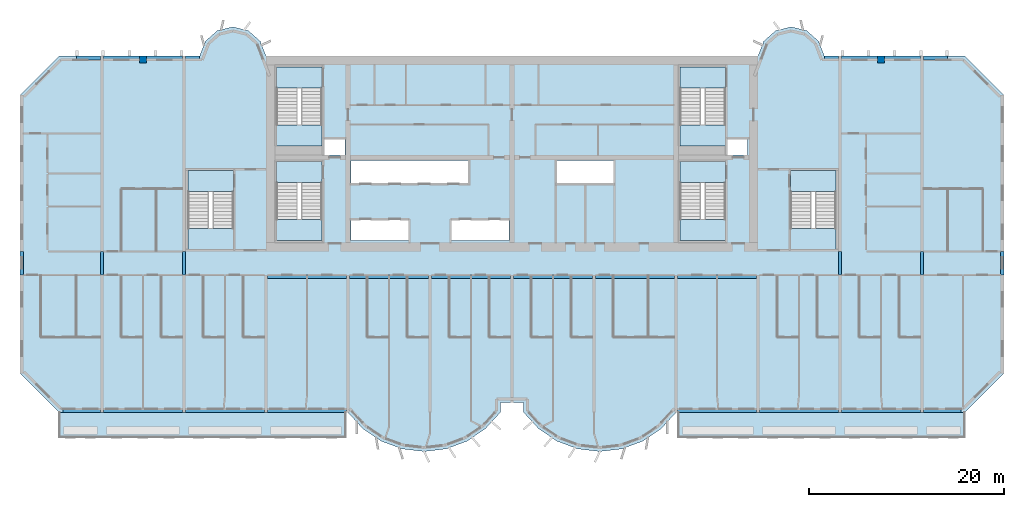
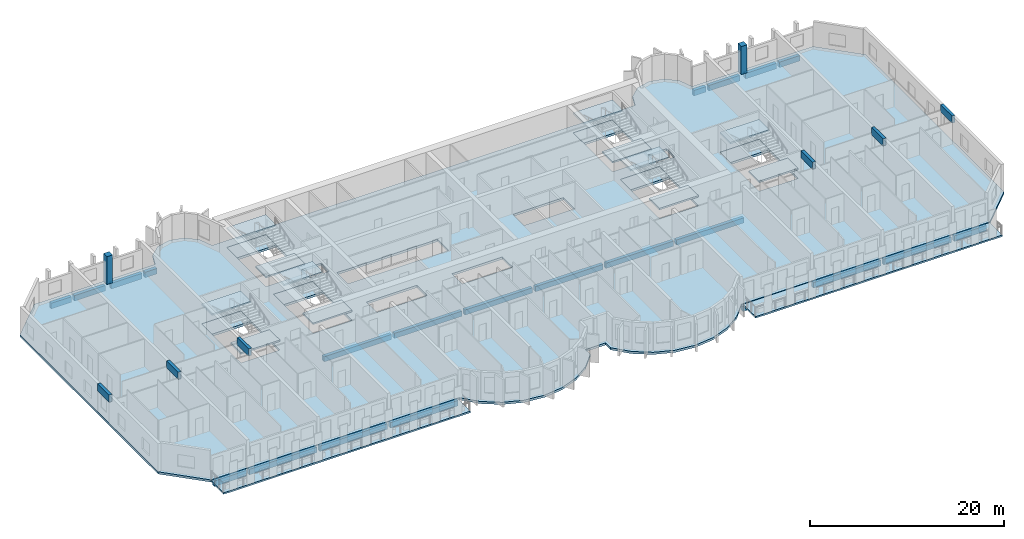
# One storey, part 1 of 14: 28 beams, 21 slabs, 2 columns, 6 elements without a shape of their own.
"""IFC4 building model written with IfcOpenShell, lengths in metres."""

from ifc_helpers import new_model, si_unit, direction, frame, origin, origin_2d, place, context, subcontext, project, spatial, polyline, rectangle, outline, extrude, source, transform, mapped, material, layer, layer_set, material_profile, profile_set, type_object, element, aggregate, save


model = new_model("IFC4")

# Units and contexts
model_context = context("Model", 3, precision=1e-05, world=origin(), true_north=direction((0.0, 1.0)))
body_context = subcontext(model_context, "Body", "Model", "MODEL_VIEW")
ifc_project = project(units=[si_unit("LENGTHUNIT", "METRE"), si_unit("AREAUNIT", "SQUARE_METRE"), si_unit("VOLUMEUNIT", "CUBIC_METRE"), si_unit("PLANEANGLEUNIT", "RADIAN"), si_unit("MASSUNIT", "GRAM", prefix="KILO")], contexts=[model_context])

# Site, building, storey
site_placement = place(None, origin())
site = spatial("IfcSite", under=ifc_project, at=site_placement, CompositionType="ELEMENT")
building_placement = place(site_placement, origin())
building = spatial("IfcBuilding", under=site, at=building_placement, Name="Vanashikhar Sky Hotel", CompositionType="ELEMENT")
storey_placement = place(building_placement, frame((0.0, 0.0, 125.60009765625)))
storey = spatial("IfcBuildingStorey", under=building, at=storey_placement, Name="L30", CompositionType="ELEMENT", Elevation=125.60009765625)

# Columns
ifc_material_1 = material(Name="Concrete M60", Category="concrete")
ifc_material_profile_1 = material_profile(ifc_material_1, rectangle(XDim=0.699951171875, YDim=0.699951171875, at=origin_2d()))
ifc_profile_set_1 = profile_set([ifc_material_profile_1], Name="RC 700x700 column Concrete M60")
column_type = type_object("IfcColumnType", Name="RC 700x700 column Concrete M60", PredefinedType="COLUMN", material=ifc_profile_set_1)
shared_shape_1 = source(origin(), body_context, "Body", "SweptSolid", [
    extrude(rectangle(XDim=0.699951171875, YDim=0.699951171875, at=origin_2d()), origin(), (0.0, 0.0, 1.0), 3.52001953125),
])
for number, where, z_axis, x_axis, name in (
    (1, (12.60009765625, 41.64990234375, 0.0), (0.0, 0.0, 1.0), (1.0, 0.0, 0.0), "CL-L30-CR02"),
    (2, (88.199951171875, 41.64990234375, 0.0), (0.0, 0.0, 1.0), (1.0, 0.0, 0.0), "CL-L30-CR11"),
):
    element("IfcColumn", number, at=place(storey_placement, frame(where, z_axis=z_axis, x_axis=x_axis)), inside=storey, type_object=column_type, Name=name, PredefinedType="COLUMN", context=body_context, shape_type="MappedRepresentation", body=[
        mapped(shared_shape_1, transform((0.0, 0.0, 0.0), scale=1.0)),
    ])

# Beams
ifc_material_2 = material(Name="Concrete M50", Category="concrete")
ifc_material_profile_2 = material_profile(ifc_material_2, rectangle(XDim=0.35009765625, YDim=0.89990234375, at=origin_2d()))
ifc_profile_set_2 = profile_set([ifc_material_profile_2], Name="RC 350x900 beam Concrete M50")
beam_type_1 = type_object("IfcBeamType", Name="RC 350x900 beam Concrete M50", PredefinedType="LINTEL", material=ifc_profile_set_2)
shared_shape_2 = source(origin(), body_context, "Body", "SweptSolid", [
    extrude(rectangle(XDim=0.35009765625, YDim=0.89990234375, at=origin_2d()), origin(), (0.0, 0.0, 1.0), 2.39990234375),
])
for number, where, z_axis, x_axis, name in (
    (3, (0.175048828125, 19.60009765625, 3.06982421875), (0.0, 1.0, 0.0), (-1.0, 0.0, 0.0), "LB-L30-XW01"),
    (4, (8.39990234375, 19.60009765625, 3.06982421875), (0.0, 1.0, 0.0), (-1.0, 0.0, 0.0), "LB-L30-XW02"),
    (5, (16.800048828125, 19.60009765625, 3.06982421875), (0.0, 1.0, 0.0), (-1.0, 0.0, 0.0), "LB-L30-XW03"),
    (6, (84.0, 19.60009765625, 3.06982421875), (0.0, 1.0, 0.0), (-1.0, 0.0, 0.0), "LB-L30-XW11"),
    (7, (92.39990234375, 19.60009765625, 3.06982421875), (0.0, 1.0, 0.0), (-1.0, 0.0, 0.0), "LB-L30-XW12"),
    (8, (100.625, 19.60009765625, 3.06982421875), (0.0, 1.0, 0.0), (-1.0, 0.0, 0.0), "LB-L30-XW13"),
):
    element("IfcBeam", number, at=place(storey_placement, frame(where, z_axis=z_axis, x_axis=x_axis)), inside=storey, type_object=beam_type_1, Name=name, PredefinedType="LINTEL", context=body_context, shape_type="MappedRepresentation", body=[
        mapped(shared_shape_2, transform((0.0, 0.0, 0.0), scale=1.0)),
    ])
ifc_material_profile_3 = material_profile(ifc_material_2, rectangle(XDim=0.39990234375, YDim=0.699951171875, at=origin_2d()))
ifc_profile_set_3 = profile_set([ifc_material_profile_3], Name="RC 400x700 beam Concrete M50")
beam_type_2 = type_object("IfcBeamType", Name="RC 400x700 beam Concrete M50", PredefinedType="SPANDREL", material=ifc_profile_set_3)
shared_shape_3 = source(origin(), body_context, "Body", "SweptSolid", [
    extrude(rectangle(XDim=0.39990234375, YDim=0.699951171875, at=origin_2d()), origin(), (0.0, 0.0, 1.0), 8.050048828125),
])
for number, where, z_axis, x_axis, name in (
    (9, (8.574951171875, 5.699951171875, -0.630126953125), (1.0, 0.0, 0.0), (0.0, 1.0, 0.0), "EB-L30-F01"),
    (10, (25.375, 5.699951171875, -0.630126953125), (1.0, 0.0, 0.0), (0.0, 1.0, 0.0), "EB-L30-F03"),
    (11, (67.375, 5.699951171875, -0.630126953125), (1.0, 0.0, 0.0), (0.0, 1.0, 0.0), "EB-L30-F05"),
    (12, (75.77490234375, 5.699951171875, -0.630126953125), (1.0, 0.0, 0.0), (0.0, 1.0, 0.0), "EB-L30-F06"),
    (13, (84.175048828125, 5.699951171875, -0.630126953125), (1.0, 0.0, 0.0), (0.0, 1.0, 0.0), "EB-L30-F07"),
):
    element("IfcBeam", number, at=place(storey_placement, frame(where, z_axis=z_axis, x_axis=x_axis)), inside=storey, type_object=beam_type_2, Name=name, PredefinedType="SPANDREL", context=body_context, shape_type="MappedRepresentation", body=[
        mapped(shared_shape_3, transform((0.0, 0.0, 0.0), scale=1.0)),
    ])
shared_shape_4 = source(origin(), body_context, "Body", "SweptSolid", [
    extrude(rectangle(XDim=0.39990234375, YDim=0.699951171875, at=origin_2d()), origin(), (0.0, 0.0, 1.0), 8.0498046875),
])
beam_1_placement = place(storey_placement, frame((16.97509765625, 5.699951171875, -0.630126953125), z_axis=(1.0, 0.0, 0.0), x_axis=(0.0, 1.0, 0.0)))
element("IfcBeam", 14, at=beam_1_placement, inside=storey, type_object=beam_type_2, Name="EB-L30-F02", PredefinedType="SPANDREL", context=body_context, shape_type="MappedRepresentation", body=[
    mapped(shared_shape_4, transform((0.0, 0.0, 0.0), scale=1.0)),
])
ifc_material_profile_4 = material_profile(ifc_material_2, rectangle(XDim=0.39990234375, YDim=0.699951171875, at=origin_2d()))
ifc_profile_set_4 = profile_set([ifc_material_profile_4], Name="RC 400x700 cantilever beam Concrete M50")
beam_type_3 = type_object("IfcBeamType", Name="RC 400x700 cantilever beam Concrete M50", PredefinedType="SPANDREL", material=ifc_profile_set_4)
shared_shape_5 = source(origin(), body_context, "Body", "SweptSolid", [
    extrude(rectangle(XDim=0.39990234375, YDim=0.699951171875, at=origin_2d()), origin(), (0.0, 0.0, 1.0), 3.8251953125),
])
beam_2_placement = place(storey_placement, frame((4.39990234375, 5.699951171875, -0.630126953125), z_axis=(1.0, 0.0, 0.0), x_axis=(0.0, 1.0, 0.0)))
element("IfcBeam", 15, at=beam_2_placement, inside=storey, type_object=beam_type_3, Name="EB-L30-F04", PredefinedType="SPANDREL", context=body_context, shape_type="MappedRepresentation", body=[
    mapped(shared_shape_5, transform((0.0, 0.0, 0.0), scale=1.0)),
])
shared_shape_6 = source(origin(), body_context, "Body", "SweptSolid", [
    extrude(rectangle(XDim=0.39990234375, YDim=0.699951171875, at=origin_2d()), origin(), (0.0, 0.0, 1.0), 3.824951171875),
])
beam_3_placement = place(storey_placement, frame((92.574951171875, 5.699951171875, -0.630126953125), z_axis=(1.0, 0.0, 0.0), x_axis=(0.0, 1.0, 0.0)))
element("IfcBeam", 16, at=beam_3_placement, inside=storey, type_object=beam_type_3, Name="EB-L30-F08", PredefinedType="SPANDREL", context=body_context, shape_type="MappedRepresentation", body=[
    mapped(shared_shape_6, transform((0.0, 0.0, 0.0), scale=1.0)),
])
shared_shape_7 = source(origin(), body_context, "Body", "SweptSolid", [
    extrude(rectangle(XDim=0.39990234375, YDim=0.699951171875, at=origin_2d()), origin(), (0.0, 0.0, 1.0), 3.675048828125),
])
for number, where, z_axis, x_axis, name in (
    (17, (8.574951171875, 41.800048828125, -0.630126953125), (1.0, 0.0, 0.0), (0.0, 1.0, 0.0), "EB-L30-R01"),
    (18, (12.949951171875, 41.800048828125, -0.630126953125), (1.0, 0.0, 0.0), (0.0, 1.0, 0.0), "EB-L30-R02"),
    (19, (84.175048828125, 41.800048828125, -0.630126953125), (1.0, 0.0, 0.0), (0.0, 1.0, 0.0), "EB-L30-R05"),
    (20, (88.550048828125, 41.800048828125, -0.630126953125), (1.0, 0.0, 0.0), (0.0, 1.0, 0.0), "EB-L30-R06"),
):
    element("IfcBeam", number, at=place(storey_placement, frame(where, z_axis=z_axis, x_axis=x_axis)), inside=storey, type_object=beam_type_2, Name=name, PredefinedType="SPANDREL", context=body_context, shape_type="MappedRepresentation", body=[
        mapped(shared_shape_7, transform((0.0, 0.0, 0.0), scale=1.0)),
    ])
shared_shape_8 = source(origin(), body_context, "Body", "SweptSolid", [
    extrude(rectangle(XDim=0.39990234375, YDim=0.699951171875, at=origin_2d()), origin(), (0.0, 0.0, 1.0), 2.43017578125),
])
beam_4_placement = place(storey_placement, frame((5.794921875, 41.800048828125, -0.630126953125), z_axis=(1.0, 0.0, 0.0), x_axis=(0.0, 1.0, 0.0)))
element("IfcBeam", 21, at=beam_4_placement, inside=storey, type_object=beam_type_3, Name="EB-L30-R03", PredefinedType="SPANDREL", context=body_context, shape_type="MappedRepresentation", body=[
    mapped(shared_shape_8, transform((0.0, 0.0, 0.0), scale=1.0)),
])
shared_shape_9 = source(origin(), body_context, "Body", "SweptSolid", [
    extrude(rectangle(XDim=0.39990234375, YDim=0.699951171875, at=origin_2d()), origin(), (0.0, 0.0, 1.0), 1.4248046875),
])
beam_5_placement = place(storey_placement, frame((16.97509765625, 41.800048828125, -0.630126953125), z_axis=(1.0, 0.0, 0.0), x_axis=(0.0, 1.0, 0.0)))
element("IfcBeam", 22, at=beam_5_placement, inside=storey, type_object=beam_type_3, Name="EB-L30-R04", PredefinedType="SPANDREL", context=body_context, shape_type="MappedRepresentation", body=[
    mapped(shared_shape_9, transform((0.0, 0.0, 0.0), scale=1.0)),
])
shared_shape_10 = source(origin(), body_context, "Body", "SweptSolid", [
    extrude(rectangle(XDim=0.39990234375, YDim=0.699951171875, at=origin_2d()), origin(), (0.0, 0.0, 1.0), 1.425048828125),
])
beam_6_placement = place(storey_placement, frame((82.39990234375, 41.800048828125, -0.630126953125), z_axis=(1.0, 0.0, 0.0), x_axis=(0.0, 1.0, 0.0)))
element("IfcBeam", 23, at=beam_6_placement, inside=storey, type_object=beam_type_3, Name="EB-L30-R07", PredefinedType="SPANDREL", context=body_context, shape_type="MappedRepresentation", body=[
    mapped(shared_shape_10, transform((0.0, 0.0, 0.0), scale=1.0)),
])
shared_shape_11 = source(origin(), body_context, "Body", "SweptSolid", [
    extrude(rectangle(XDim=0.39990234375, YDim=0.699951171875, at=origin_2d()), origin(), (0.0, 0.0, 1.0), 2.429931640625),
])
beam_7_placement = place(storey_placement, frame((92.574951171875, 41.800048828125, -0.630126953125), z_axis=(1.0, 0.0, 0.0), x_axis=(0.0, 1.0, 0.0)))
element("IfcBeam", 24, at=beam_7_placement, inside=storey, type_object=beam_type_3, Name="EB-L30-R08", PredefinedType="SPANDREL", context=body_context, shape_type="MappedRepresentation", body=[
    mapped(shared_shape_11, transform((0.0, 0.0, 0.0), scale=1.0)),
])
ifc_material_profile_5 = material_profile(ifc_material_2, rectangle(XDim=0.39990234375, YDim=0.64990234375, at=origin_2d()))
ifc_profile_set_5 = profile_set([ifc_material_profile_5], Name="RC 400x650 beam Concrete M50")
beam_type_4 = type_object("IfcBeamType", Name="RC 400x650 beam Concrete M50", PredefinedType="BEAM", material=ifc_profile_set_5)
shared_shape_12 = source(origin(), body_context, "Body", "SweptSolid", [
    extrude(rectangle(XDim=0.39990234375, YDim=0.64990234375, at=origin_2d()), origin(), (0.0, 0.0, 1.0), 8.050048828125),
])
for number, where, z_axis, x_axis, name in (
    (25, (25.375, 19.39990234375, -0.60498046875), (1.0, 0.0, 0.0), (0.0, 1.0, 0.0), "CB-L30-01"),
    (26, (33.77490234375, 19.39990234375, -0.60498046875), (1.0, 0.0, 0.0), (0.0, 1.0, 0.0), "CB-L30-02"),
    (27, (42.175048828125, 19.39990234375, -0.60498046875), (1.0, 0.0, 0.0), (0.0, 1.0, 0.0), "CB-L30-03"),
    (28, (50.574951171875, 19.39990234375, -0.60498046875), (1.0, 0.0, 0.0), (0.0, 1.0, 0.0), "CB-L30-04"),
    (29, (67.375, 19.39990234375, -0.60498046875), (1.0, 0.0, 0.0), (0.0, 1.0, 0.0), "CB-L30-06"),
):
    element("IfcBeam", number, at=place(storey_placement, frame(where, z_axis=z_axis, x_axis=x_axis)), inside=storey, type_object=beam_type_4, Name=name, PredefinedType="BEAM", context=body_context, shape_type="MappedRepresentation", body=[
        mapped(shared_shape_12, transform((0.0, 0.0, 0.0), scale=1.0)),
    ])
shared_shape_13 = source(origin(), body_context, "Body", "SweptSolid", [
    extrude(rectangle(XDim=0.39990234375, YDim=0.64990234375, at=origin_2d()), origin(), (0.0, 0.0, 1.0), 8.0498046875),
])
beam_8_placement = place(storey_placement, frame((58.97509765625, 19.39990234375, -0.60498046875), z_axis=(1.0, 0.0, 0.0), x_axis=(0.0, 1.0, 0.0)))
element("IfcBeam", 30, at=beam_8_placement, inside=storey, type_object=beam_type_4, Name="CB-L30-05", PredefinedType="BEAM", context=body_context, shape_type="MappedRepresentation", body=[
    mapped(shared_shape_13, transform((0.0, 0.0, 0.0), scale=1.0)),
])

# Slabs
ifc_material_3 = material(Name="Concrete M40", Category="concrete")
ifc_layer_1 = layer(ifc_material_3, 0.280029296875)
ifc_layer_set_1 = layer_set([ifc_layer_1], Name="Floor slab 280 mm")
slab_type_1 = type_object("IfcSlabType", Name="Floor slab 280 mm", PredefinedType="FLOOR", material=ifc_layer_set_1)
shared_shape_14 = source(origin(), body_context, "Body", "SweptSolid", [
    extrude(outline(polyline([(49.199951171875, 5.5), (49.199951171875, 6.5), (51.60009765625, 6.5), (51.60009765625, 5.5), (53.133056640625, 3.825927734375), (55.01708984375, 2.55810546875), (57.14599609375, 1.76806640625), (59.39990234375, 1.5), (61.654052734375, 1.76806640625), (63.782958984375, 2.55810546875), (65.6669921875, 3.825927734375), (67.199951171875, 5.5), (96.800048828125, 5.5), (100.800048828125, 9.5), (100.800048828125, 38.0), (96.800048828125, 42.0), (82.39990234375, 42.0), (81.81494140625, 43.527099609375), (80.587890625, 44.610107421875), (79.0, 45.0), (77.412109375, 44.610107421875), (76.18505859375, 43.527099609375), (75.60009765625, 42.0), (25.199951171875, 42.0), (24.614990234375, 43.527099609375), (23.387939453125, 44.610107421875), (21.800048828125, 45.0), (20.2119140625, 44.610107421875), (18.985107421875, 43.527099609375), (18.39990234375, 42.0), (4.0, 42.0), (0.0, 38.0), (0.0, 9.5), (4.0, 5.5), (33.60009765625, 5.5), (35.133056640625, 3.825927734375), (37.01708984375, 2.55810546875), (39.14599609375, 1.76806640625), (41.39990234375, 1.5), (43.654052734375, 1.76806640625), (45.782958984375, 2.55810546875), (47.6669921875, 3.825927734375), (49.199951171875, 5.5)]), holes=[polyline([(33.300048828125, 33.60009765625), (31.050048828125, 33.60009765625), (31.050048828125, 31.89990234375), (33.300048828125, 31.89990234375), (33.300048828125, 33.60009765625)]), polyline([(33.89990234375, 25.199951171875), (33.89990234375, 23.10009765625), (39.89990234375, 23.10009765625), (39.89990234375, 25.199951171875), (33.89990234375, 25.199951171875)]), polyline([(33.89990234375, 31.300048828125), (33.89990234375, 29.0), (45.89990234375, 29.0), (45.89990234375, 31.300048828125), (33.89990234375, 31.300048828125)]), polyline([(44.10009765625, 25.199951171875), (44.10009765625, 23.10009765625), (50.10009765625, 23.10009765625), (50.10009765625, 25.199951171875), (44.10009765625, 25.199951171875)]), polyline([(54.89990234375, 31.300048828125), (54.89990234375, 29.0), (60.89990234375, 29.0), (60.89990234375, 31.300048828125), (54.89990234375, 31.300048828125)]), polyline([(74.5, 33.60009765625), (72.35009765625, 33.60009765625), (72.35009765625, 31.89990234375), (74.5, 31.89990234375), (74.5, 33.60009765625)]), polyline([(30.949951171875, 23.10009765625), (30.949951171875, 31.199951171875), (26.300048828125, 31.199951171875), (26.300048828125, 23.10009765625), (30.949951171875, 23.10009765625)]), polyline([(72.25, 23.10009765625), (72.25, 31.199951171875), (67.60009765625, 31.199951171875), (67.60009765625, 23.10009765625), (72.25, 23.10009765625)]), polyline([(30.949951171875, 32.800048828125), (30.949951171875, 40.89990234375), (26.300048828125, 40.89990234375), (26.300048828125, 32.800048828125), (30.949951171875, 32.800048828125)]), polyline([(72.25, 32.800048828125), (72.25, 40.89990234375), (67.60009765625, 40.89990234375), (67.60009765625, 32.800048828125), (72.25, 32.800048828125)]), polyline([(83.60009765625, 22.199951171875), (83.60009765625, 30.300048828125), (78.949951171875, 30.300048828125), (78.949951171875, 22.199951171875), (83.60009765625, 22.199951171875)]), polyline([(21.85009765625, 22.199951171875), (21.85009765625, 30.300048828125), (17.199951171875, 30.300048828125), (17.199951171875, 22.199951171875), (21.85009765625, 22.199951171875)])]), origin(), (0.0, 0.0, 1.0), 0.280029296875),
])
slab_1_placement = place(storey_placement, frame((0.0, 0.0, -0.280029296875)))
element("IfcSlab", 31, at=slab_1_placement, inside=storey, type_object=slab_type_1, Name="Floor slab L30", PredefinedType="FLOOR", context=body_context, shape_type="MappedRepresentation", body=[
    mapped(shared_shape_14, transform((0.0, 0.0, 0.0), scale=1.0)),
])
ifc_layer_2 = layer(ifc_material_3, 0.199951171875)
ifc_layer_set_2 = layer_set([ifc_layer_2], Name="Balcony slab 200 mm")
slab_type_2 = type_object("IfcSlabType", Name="Balcony slab 200 mm", PredefinedType="USERDEFINED", material=ifc_layer_set_2)
shared_shape_15 = source(origin(), body_context, "Body", "SweptSolid", [
    extrude(outline(polyline([(4.0, 2.89990234375), (33.39990234375, 2.89990234375), (33.39990234375, 5.5), (4.0, 5.5), (4.0, 2.89990234375)])), origin(), (0.0, 0.0, 1.0), 0.199951171875),
])
slab_2_placement = place(storey_placement, frame((0.0, 0.0, -0.25)))
element("IfcSlab", 32, at=slab_2_placement, inside=storey, type_object=slab_type_2, Name="Balcony slab L30 1", ObjectType="BALCONY", PredefinedType="USERDEFINED", context=body_context, shape_type="MappedRepresentation", body=[
    mapped(shared_shape_15, transform((0.0, 0.0, 0.0), scale=1.0)),
])
shared_shape_16 = source(origin(), body_context, "Body", "SweptSolid", [
    extrude(outline(polyline([(67.39990234375, 2.89990234375), (96.800048828125, 2.89990234375), (96.800048828125, 5.5), (67.39990234375, 5.5), (67.39990234375, 2.89990234375)])), origin(), (0.0, 0.0, 1.0), 0.199951171875),
])
slab_3_placement = place(storey_placement, frame((0.0, 0.0, -0.25)))
element("IfcSlab", 33, at=slab_3_placement, inside=storey, type_object=slab_type_2, Name="Balcony slab L30 2", ObjectType="BALCONY", PredefinedType="USERDEFINED", context=body_context, shape_type="MappedRepresentation", body=[
    mapped(shared_shape_16, transform((0.0, 0.0, 0.0), scale=1.0)),
])

# Stair, slabs
stair_type = type_object("IfcStairType", Name="Exit stair 2150", PredefinedType="DOUBLE_RETURN_STAIR", material=ifc_material_3)
stair_1_placement = place(storey_placement, origin())
stair_1 = element("IfcStair", 34, at=stair_1_placement, inside=storey, type_object=stair_type, Name="L30 Exit stair 1", PredefinedType="DOUBLE_RETURN_STAIR")
ifc_layer_3 = layer(ifc_material_3, 0.199951171875)
ifc_layer_set_3 = layer_set([ifc_layer_3], Name="Stair landing 200")
slab_type_3 = type_object("IfcSlabType", Name="Stair landing 200", PredefinedType="LANDING", material=ifc_layer_set_3)
shared_shape_17 = source(origin(), body_context, "Body", "SweptSolid", [
    extrude(outline(polyline([(30.949951171875, 29.050048828125), (30.949951171875, 31.199951171875), (26.300048828125, 31.199951171875), (26.300048828125, 29.050048828125), (30.949951171875, 29.050048828125)])), origin(), (0.0, 0.0, 1.0), 0.199951171875),
])
slab_4_placement = place(storey_placement, frame((0.0, 0.0, 2.333251953125)))
slab_4 = element("IfcSlab", 35, at=slab_4_placement, type_object=slab_type_3, Name="ST-C1 landing 2", PredefinedType="LANDING", context=body_context, shape_type="MappedRepresentation", body=[
    mapped(shared_shape_17, transform((0.0, 0.0, 0.0), scale=1.0)),
])
shared_shape_18 = source(origin(), body_context, "Body", "SweptSolid", [
    extrude(outline(polyline([(30.949951171875, 23.10009765625), (30.949951171875, 25.25), (26.300048828125, 25.25), (26.300048828125, 23.10009765625), (30.949951171875, 23.10009765625)])), origin(), (0.0, 0.0, 1.0), 0.199951171875),
])
slab_5_placement = place(storey_placement, frame((0.0, 0.0, 1.066650390625)))
slab_5 = element("IfcSlab", 36, at=slab_5_placement, type_object=slab_type_3, Name="ST-C1 landing 1", PredefinedType="LANDING", context=body_context, shape_type="MappedRepresentation", body=[
    mapped(shared_shape_18, transform((0.0, 0.0, 0.0), scale=1.0)),
])
aggregate(stair_1, [slab_5, slab_4])

# Slab
ifc_layer_4 = layer(ifc_material_3, 0.280029296875)
ifc_layer_set_4 = layer_set([ifc_layer_4], Name="Stair floor landing 280")
slab_type_4 = type_object("IfcSlabType", Name="Stair floor landing 280", PredefinedType="LANDING", material=ifc_layer_set_4)
shared_shape_19 = source(origin(), body_context, "Body", "SweptSolid", [
    extrude(outline(polyline([(30.949951171875, 29.050048828125), (30.949951171875, 31.199951171875), (26.300048828125, 31.199951171875), (26.300048828125, 29.050048828125), (30.949951171875, 29.050048828125)])), origin(), (0.0, 0.0, 1.0), 0.280029296875),
])
slab_6_placement = place(storey_placement, frame((0.0, 0.0, -0.280029296875)))
element("IfcSlab", 37, at=slab_6_placement, inside=storey, type_object=slab_type_4, Name="Exit stair 1 floor landing", PredefinedType="LANDING", context=body_context, shape_type="MappedRepresentation", body=[
    mapped(shared_shape_19, transform((0.0, 0.0, 0.0), scale=1.0)),
])

# Stair, slabs
stair_2_placement = place(storey_placement, origin())
stair_2 = element("IfcStair", 38, at=stair_2_placement, inside=storey, type_object=stair_type, Name="L30 Exit stair 2", PredefinedType="DOUBLE_RETURN_STAIR")
shared_shape_20 = source(origin(), body_context, "Body", "SweptSolid", [
    extrude(outline(polyline([(72.25, 29.050048828125), (72.25, 31.199951171875), (67.60009765625, 31.199951171875), (67.60009765625, 29.050048828125), (72.25, 29.050048828125)])), origin(), (0.0, 0.0, 1.0), 0.199951171875),
])
slab_7_placement = place(storey_placement, frame((0.0, 0.0, 2.333251953125)))
slab_7 = element("IfcSlab", 39, at=slab_7_placement, type_object=slab_type_3, Name="ST-C2 landing 2", PredefinedType="LANDING", context=body_context, shape_type="MappedRepresentation", body=[
    mapped(shared_shape_20, transform((0.0, 0.0, 0.0), scale=1.0)),
])
shared_shape_21 = source(origin(), body_context, "Body", "SweptSolid", [
    extrude(outline(polyline([(72.25, 23.10009765625), (72.25, 25.25), (67.60009765625, 25.25), (67.60009765625, 23.10009765625), (72.25, 23.10009765625)])), origin(), (0.0, 0.0, 1.0), 0.199951171875),
])
slab_8_placement = place(storey_placement, frame((0.0, 0.0, 1.066650390625)))
slab_8 = element("IfcSlab", 40, at=slab_8_placement, type_object=slab_type_3, Name="ST-C2 landing 1", PredefinedType="LANDING", context=body_context, shape_type="MappedRepresentation", body=[
    mapped(shared_shape_21, transform((0.0, 0.0, 0.0), scale=1.0)),
])
aggregate(stair_2, [slab_8, slab_7])

# Slab
shared_shape_22 = source(origin(), body_context, "Body", "SweptSolid", [
    extrude(outline(polyline([(72.25, 29.050048828125), (72.25, 31.199951171875), (67.60009765625, 31.199951171875), (67.60009765625, 29.050048828125), (72.25, 29.050048828125)])), origin(), (0.0, 0.0, 1.0), 0.280029296875),
])
slab_9_placement = place(storey_placement, frame((0.0, 0.0, -0.280029296875)))
element("IfcSlab", 41, at=slab_9_placement, inside=storey, type_object=slab_type_4, Name="Exit stair 2 floor landing", PredefinedType="LANDING", context=body_context, shape_type="MappedRepresentation", body=[
    mapped(shared_shape_22, transform((0.0, 0.0, 0.0), scale=1.0)),
])

# Stair, slabs
stair_3_placement = place(storey_placement, origin())
stair_3 = element("IfcStair", 42, at=stair_3_placement, inside=storey, type_object=stair_type, Name="L30 Exit stair 3", PredefinedType="DOUBLE_RETURN_STAIR")
shared_shape_23 = source(origin(), body_context, "Body", "SweptSolid", [
    extrude(outline(polyline([(21.85009765625, 28.14990234375), (21.85009765625, 30.300048828125), (17.199951171875, 30.300048828125), (17.199951171875, 28.14990234375), (21.85009765625, 28.14990234375)])), origin(), (0.0, 0.0, 1.0), 0.199951171875),
])
slab_10_placement = place(storey_placement, frame((0.0, 0.0, 2.333251953125)))
slab_10 = element("IfcSlab", 43, at=slab_10_placement, type_object=slab_type_3, Name="ST-W landing 2", PredefinedType="LANDING", context=body_context, shape_type="MappedRepresentation", body=[
    mapped(shared_shape_23, transform((0.0, 0.0, 0.0), scale=1.0)),
])
shared_shape_24 = source(origin(), body_context, "Body", "SweptSolid", [
    extrude(outline(polyline([(21.85009765625, 22.199951171875), (21.85009765625, 24.35009765625), (17.199951171875, 24.35009765625), (17.199951171875, 22.199951171875), (21.85009765625, 22.199951171875)])), origin(), (0.0, 0.0, 1.0), 0.199951171875),
])
slab_11_placement = place(storey_placement, frame((0.0, 0.0, 1.066650390625)))
slab_11 = element("IfcSlab", 44, at=slab_11_placement, type_object=slab_type_3, Name="ST-W landing 1", PredefinedType="LANDING", context=body_context, shape_type="MappedRepresentation", body=[
    mapped(shared_shape_24, transform((0.0, 0.0, 0.0), scale=1.0)),
])
aggregate(stair_3, [slab_11, slab_10])

# Slab
shared_shape_25 = source(origin(), body_context, "Body", "SweptSolid", [
    extrude(outline(polyline([(21.85009765625, 28.14990234375), (21.85009765625, 30.300048828125), (17.199951171875, 30.300048828125), (17.199951171875, 28.14990234375), (21.85009765625, 28.14990234375)])), origin(), (0.0, 0.0, 1.0), 0.280029296875),
])
slab_12_placement = place(storey_placement, frame((0.0, 0.0, -0.280029296875)))
element("IfcSlab", 45, at=slab_12_placement, inside=storey, type_object=slab_type_4, Name="Exit stair 3 floor landing", PredefinedType="LANDING", context=body_context, shape_type="MappedRepresentation", body=[
    mapped(shared_shape_25, transform((0.0, 0.0, 0.0), scale=1.0)),
])

# Stair, slabs
stair_4_placement = place(storey_placement, origin())
stair_4 = element("IfcStair", 46, at=stair_4_placement, inside=storey, type_object=stair_type, Name="L30 Exit stair 4", PredefinedType="DOUBLE_RETURN_STAIR")
shared_shape_26 = source(origin(), body_context, "Body", "SweptSolid", [
    extrude(outline(polyline([(83.60009765625, 28.14990234375), (83.60009765625, 30.300048828125), (78.949951171875, 30.300048828125), (78.949951171875, 28.14990234375), (83.60009765625, 28.14990234375)])), origin(), (0.0, 0.0, 1.0), 0.199951171875),
])
slab_13_placement = place(storey_placement, frame((0.0, 0.0, 2.333251953125)))
slab_13 = element("IfcSlab", 47, at=slab_13_placement, type_object=slab_type_3, Name="ST-E landing 2", PredefinedType="LANDING", context=body_context, shape_type="MappedRepresentation", body=[
    mapped(shared_shape_26, transform((0.0, 0.0, 0.0), scale=1.0)),
])
shared_shape_27 = source(origin(), body_context, "Body", "SweptSolid", [
    extrude(outline(polyline([(83.60009765625, 22.199951171875), (83.60009765625, 24.35009765625), (78.949951171875, 24.35009765625), (78.949951171875, 22.199951171875), (83.60009765625, 22.199951171875)])), origin(), (0.0, 0.0, 1.0), 0.199951171875),
])
slab_14_placement = place(storey_placement, frame((0.0, 0.0, 1.066650390625)))
slab_14 = element("IfcSlab", 48, at=slab_14_placement, type_object=slab_type_3, Name="ST-E landing 1", PredefinedType="LANDING", context=body_context, shape_type="MappedRepresentation", body=[
    mapped(shared_shape_27, transform((0.0, 0.0, 0.0), scale=1.0)),
])
aggregate(stair_4, [slab_14, slab_13])

# Slab
shared_shape_28 = source(origin(), body_context, "Body", "SweptSolid", [
    extrude(outline(polyline([(83.60009765625, 28.14990234375), (83.60009765625, 30.300048828125), (78.949951171875, 30.300048828125), (78.949951171875, 28.14990234375), (83.60009765625, 28.14990234375)])), origin(), (0.0, 0.0, 1.0), 0.280029296875),
])
slab_15_placement = place(storey_placement, frame((0.0, 0.0, -0.280029296875)))
element("IfcSlab", 49, at=slab_15_placement, inside=storey, type_object=slab_type_4, Name="Exit stair 4 floor landing", PredefinedType="LANDING", context=body_context, shape_type="MappedRepresentation", body=[
    mapped(shared_shape_28, transform((0.0, 0.0, 0.0), scale=1.0)),
])

# Stair, slabs
stair_5_placement = place(storey_placement, origin())
stair_5 = element("IfcStair", 50, at=stair_5_placement, inside=storey, type_object=stair_type, Name="L30 Exit stair 5", PredefinedType="DOUBLE_RETURN_STAIR")
shared_shape_29 = source(origin(), body_context, "Body", "SweptSolid", [
    extrude(outline(polyline([(30.949951171875, 38.75), (30.949951171875, 40.89990234375), (26.300048828125, 40.89990234375), (26.300048828125, 38.75), (30.949951171875, 38.75)])), origin(), (0.0, 0.0, 1.0), 0.199951171875),
])
slab_16_placement = place(storey_placement, frame((0.0, 0.0, 2.333251953125)))
slab_16 = element("IfcSlab", 51, at=slab_16_placement, type_object=slab_type_3, Name="ST-C3 landing 2", PredefinedType="LANDING", context=body_context, shape_type="MappedRepresentation", body=[
    mapped(shared_shape_29, transform((0.0, 0.0, 0.0), scale=1.0)),
])
shared_shape_30 = source(origin(), body_context, "Body", "SweptSolid", [
    extrude(outline(polyline([(30.949951171875, 32.800048828125), (30.949951171875, 34.949951171875), (26.300048828125, 34.949951171875), (26.300048828125, 32.800048828125), (30.949951171875, 32.800048828125)])), origin(), (0.0, 0.0, 1.0), 0.199951171875),
])
slab_17_placement = place(storey_placement, frame((0.0, 0.0, 1.066650390625)))
slab_17 = element("IfcSlab", 52, at=slab_17_placement, type_object=slab_type_3, Name="ST-C3 landing 1", PredefinedType="LANDING", context=body_context, shape_type="MappedRepresentation", body=[
    mapped(shared_shape_30, transform((0.0, 0.0, 0.0), scale=1.0)),
])
aggregate(stair_5, [slab_17, slab_16])

# Slab
shared_shape_31 = source(origin(), body_context, "Body", "SweptSolid", [
    extrude(outline(polyline([(30.949951171875, 38.75), (30.949951171875, 40.89990234375), (26.300048828125, 40.89990234375), (26.300048828125, 38.75), (30.949951171875, 38.75)])), origin(), (0.0, 0.0, 1.0), 0.280029296875),
])
slab_18_placement = place(storey_placement, frame((0.0, 0.0, -0.280029296875)))
element("IfcSlab", 53, at=slab_18_placement, inside=storey, type_object=slab_type_4, Name="Exit stair 5 floor landing", PredefinedType="LANDING", context=body_context, shape_type="MappedRepresentation", body=[
    mapped(shared_shape_31, transform((0.0, 0.0, 0.0), scale=1.0)),
])

# Stair, slabs
stair_6_placement = place(storey_placement, origin())
stair_6 = element("IfcStair", 54, at=stair_6_placement, inside=storey, type_object=stair_type, Name="L30 Exit stair 6", PredefinedType="DOUBLE_RETURN_STAIR")
shared_shape_32 = source(origin(), body_context, "Body", "SweptSolid", [
    extrude(outline(polyline([(72.25, 38.75), (72.25, 40.89990234375), (67.60009765625, 40.89990234375), (67.60009765625, 38.75), (72.25, 38.75)])), origin(), (0.0, 0.0, 1.0), 0.199951171875),
])
slab_19_placement = place(storey_placement, frame((0.0, 0.0, 2.333251953125)))
slab_19 = element("IfcSlab", 55, at=slab_19_placement, type_object=slab_type_3, Name="ST-C4 landing 2", PredefinedType="LANDING", context=body_context, shape_type="MappedRepresentation", body=[
    mapped(shared_shape_32, transform((0.0, 0.0, 0.0), scale=1.0)),
])
shared_shape_33 = source(origin(), body_context, "Body", "SweptSolid", [
    extrude(outline(polyline([(72.25, 32.800048828125), (72.25, 34.949951171875), (67.60009765625, 34.949951171875), (67.60009765625, 32.800048828125), (72.25, 32.800048828125)])), origin(), (0.0, 0.0, 1.0), 0.199951171875),
])
slab_20_placement = place(storey_placement, frame((0.0, 0.0, 1.066650390625)))
slab_20 = element("IfcSlab", 56, at=slab_20_placement, type_object=slab_type_3, Name="ST-C4 landing 1", PredefinedType="LANDING", context=body_context, shape_type="MappedRepresentation", body=[
    mapped(shared_shape_33, transform((0.0, 0.0, 0.0), scale=1.0)),
])
aggregate(stair_6, [slab_20, slab_19])

# Slab
shared_shape_34 = source(origin(), body_context, "Body", "SweptSolid", [
    extrude(outline(polyline([(72.25, 38.75), (72.25, 40.89990234375), (67.60009765625, 40.89990234375), (67.60009765625, 38.75), (72.25, 38.75)])), origin(), (0.0, 0.0, 1.0), 0.280029296875),
])
slab_21_placement = place(storey_placement, frame((0.0, 0.0, -0.280029296875)))
element("IfcSlab", 57, at=slab_21_placement, inside=storey, type_object=slab_type_4, Name="Exit stair 6 floor landing", PredefinedType="LANDING", context=body_context, shape_type="MappedRepresentation", body=[
    mapped(shared_shape_34, transform((0.0, 0.0, 0.0), scale=1.0)),
])

save(model, "model.ifc")
